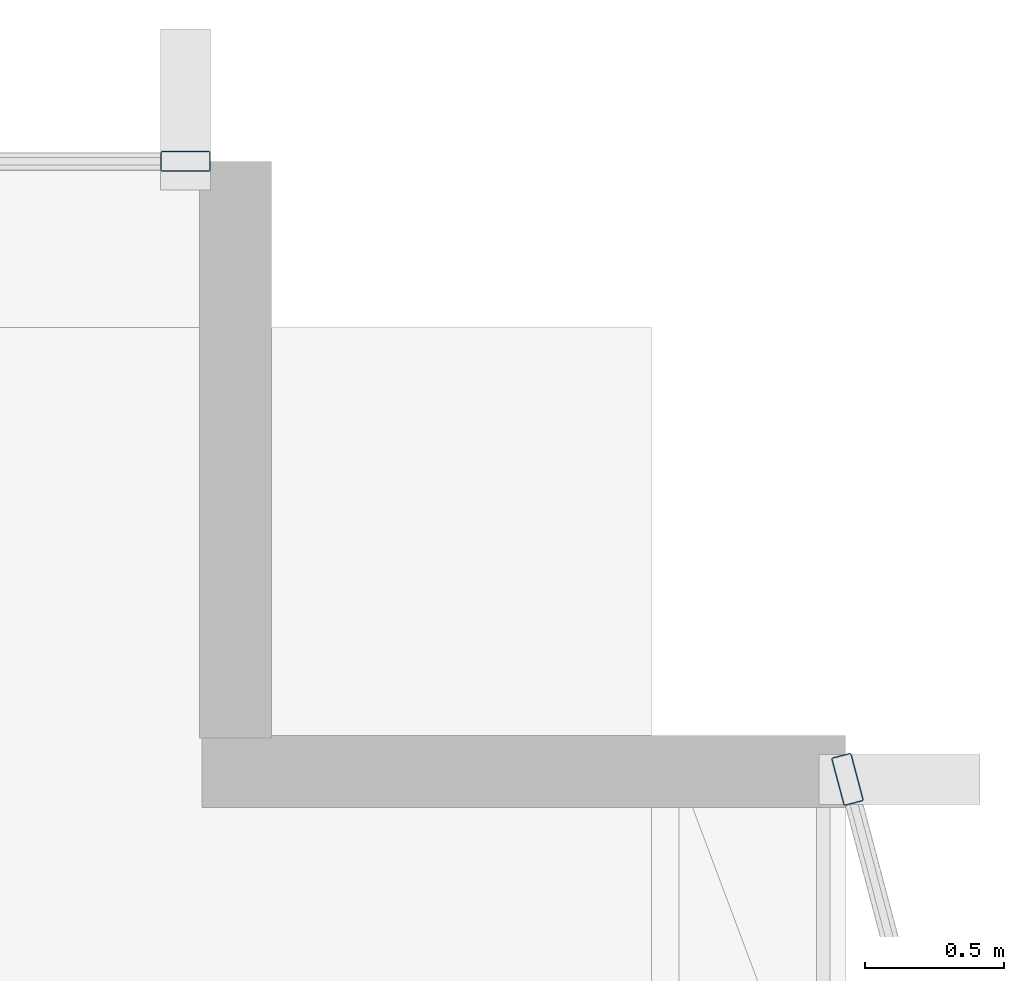
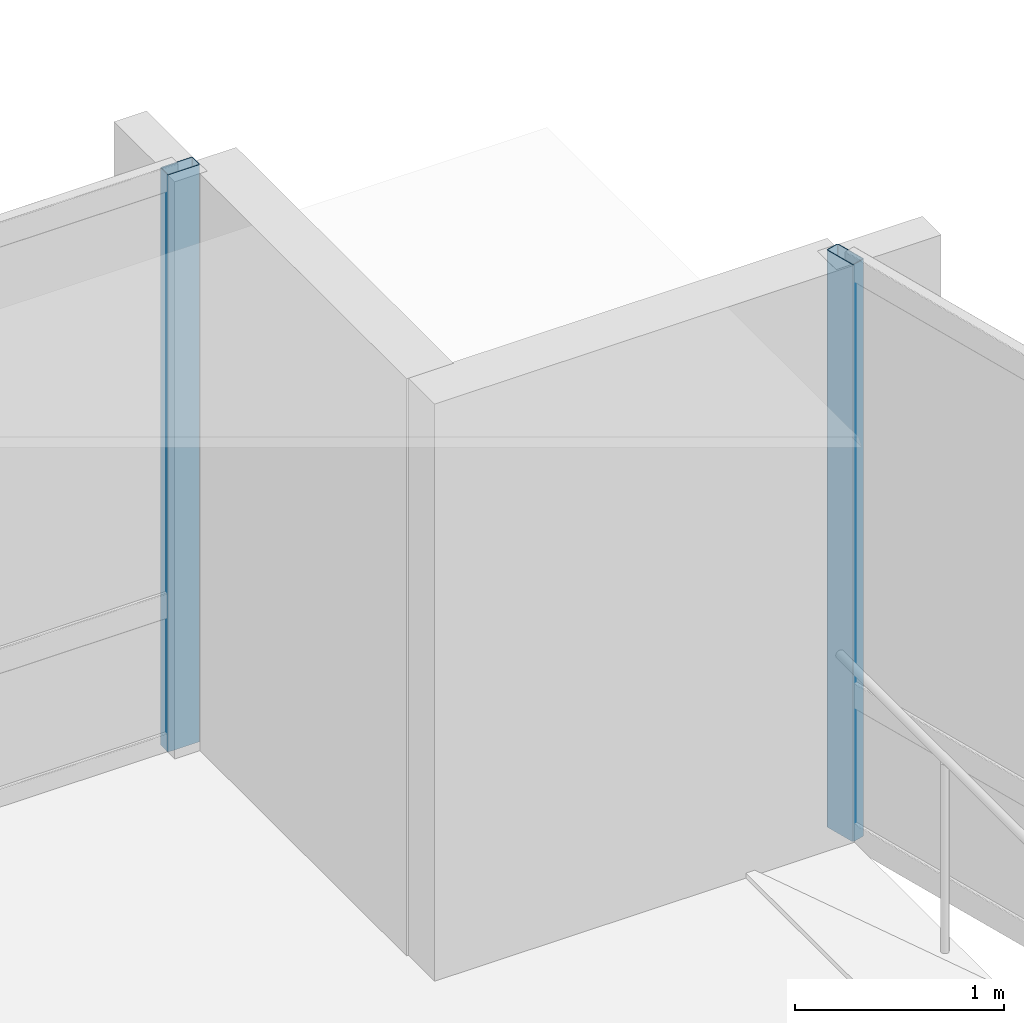
# One storey, part 14 of 27: 2 members, 2 elements without a shape of their own.
"""IFC4 building model written with IfcOpenShell, lengths in metres."""

from ifc_helpers import new_model, si_unit, direction, frame, origin, origin_2d, place, context, subcontext, project, spatial, hollow_rectangle, extrude, material, layer, layer_set, material_profile, profile_set, type_object, element, aggregate, save


model = new_model("IFC4")

# Units and contexts
model_context = context("Model", 3, precision=1e-05, world=origin(), true_north=direction((0.0, 1.0)))
body_context = subcontext(model_context, "Body", "Model", "MODEL_VIEW")
ifc_project = project(units=[si_unit("LENGTHUNIT", "METRE"), si_unit("AREAUNIT", "SQUARE_METRE"), si_unit("VOLUMEUNIT", "CUBIC_METRE"), si_unit("PLANEANGLEUNIT", "RADIAN"), si_unit("MASSUNIT", "GRAM", prefix="KILO")], contexts=[model_context])

# Site, building, storey
site_placement = place(None, origin())
site = spatial("IfcSite", under=ifc_project, at=site_placement, CompositionType="ELEMENT")
building_placement = place(site_placement, origin())
building = spatial("IfcBuilding", under=site, at=building_placement, Name="Solvaryn Broadcast Tower", CompositionType="ELEMENT")
storey_placement = place(building_placement, frame((0.0, 0.0, 192.699951171875)))
storey = spatial("IfcBuildingStorey", under=building, at=storey_placement, Name="L48", CompositionType="ELEMENT", Elevation=192.699951171875)

# Curtain wall, member
ifc_material_1 = material(Name="Aluminium and Terracotta Unitised Curtain Wall", Category="masonry")
ifc_layer = layer(ifc_material_1, 0.199951171875)
ifc_layer_set = layer_set([ifc_layer], Name="CW-SYS2-LOWMID")
curtain_wall_type = type_object("IfcCurtainWallType", Name="CW-SYS2-LOWMID", PredefinedType="NOTDEFINED", material=ifc_layer_set)
curtain_wall_1_placement = place(storey_placement, origin())
curtain_wall_1 = element("IfcCurtainWall", 1, at=curtain_wall_1_placement, inside=storey, type_object=curtain_wall_type, Name="L48 Curtain Wall ET1", PredefinedType="NOTDEFINED")
ifc_material_2 = material(Name="Anodised Aluminium 6063-T6", Category="aluminium")
ifc_material_profile = material_profile(ifc_material_2, hollow_rectangle(XDim=0.074951171875, YDim=0.179931640625, WallThickness=0.00390625, InnerFilletRadius=0.00390625, OuterFilletRadius=0.008056640625, at=origin_2d()))
ifc_profile_set = profile_set([ifc_material_profile], Name="Anodised Aluminium 6063-T6")
member_type = type_object("IfcMemberType", Name="CW-MUL-180", PredefinedType="MULLION", material=ifc_profile_set)
member_1_placement = place(storey_placement, frame((54.007568359375, 24.77099609375, 0.0), z_axis=(0.0, 0.0, 1.0), x_axis=(0.966705227863, 0.25589256031, 0.0)))
member_1 = element("IfcMember", 2, at=member_1_placement, type_object=member_type, Name="CWS2 mullion 1", PredefinedType="MULLION", context=body_context, shape_type="SweptSolid", body=[
    extrude(hollow_rectangle(XDim=0.074951171875, YDim=0.179931640625, WallThickness=0.00390625, InnerFilletRadius=0.00390625, OuterFilletRadius=0.008056640625, at=origin_2d()), origin(), (0.0, 0.0, 1.0), 3.3701171875),
])
aggregate(curtain_wall_1, [member_1])

curtain_wall_2_placement = place(storey_placement, origin())
curtain_wall_2 = element("IfcCurtainWall", 3, at=curtain_wall_2_placement, inside=storey, type_object=curtain_wall_type, Name="L48 Curtain Wall IH", PredefinedType="NOTDEFINED")
member_2_placement = place(storey_placement, frame((51.6201171875, 27.0, 0.0), z_axis=(0.0, 0.0, 1.0), x_axis=(0.0, 1.0, 0.0)))
member_2 = element("IfcMember", 4, at=member_2_placement, type_object=member_type, Name="CWS2 mullion 2", PredefinedType="MULLION", context=body_context, shape_type="SweptSolid", body=[
    extrude(hollow_rectangle(XDim=0.074951171875, YDim=0.179931640625, WallThickness=0.00390625, InnerFilletRadius=0.00390625, OuterFilletRadius=0.008056640625, at=origin_2d()), origin(), (0.0, 0.0, 1.0), 3.3701171875),
])
aggregate(curtain_wall_2, [member_2])

save(model, "model.ifc")
